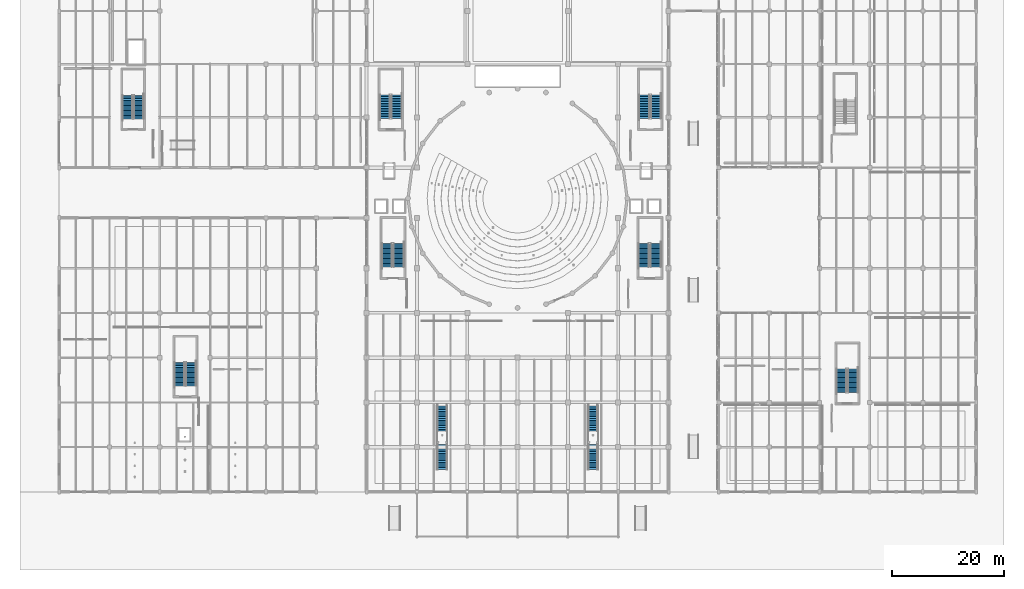
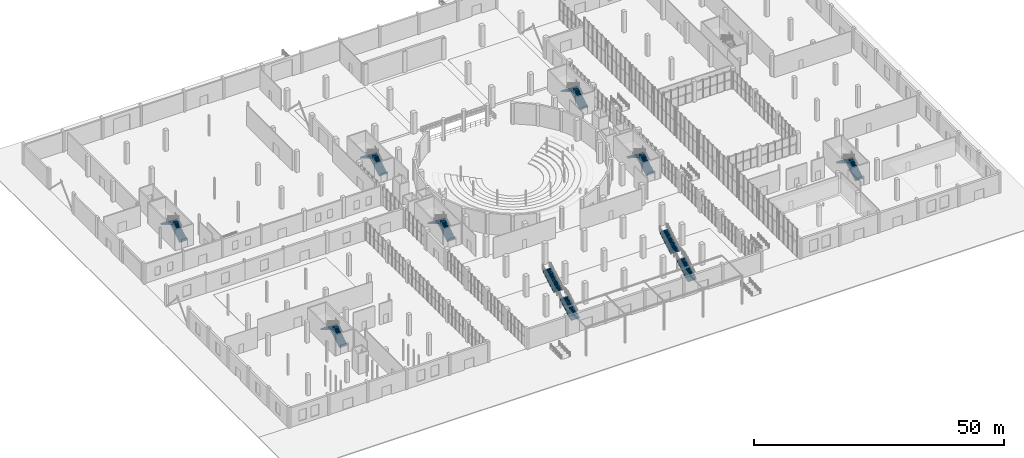
# One storey, part 90 of 103: 18 stair flights, 9 elements without a shape of their own.
"""IFC4 building model written with IfcOpenShell, lengths in metres."""

from ifc_helpers import new_model, si_unit, direction, frame, origin, place, context, subcontext, project, spatial, polyline, outline, extrude, material, type_object, element, aggregate, save


model = new_model("IFC4")

# Units and contexts
model_context = context("Model", 3, precision=1e-05, world=origin(), true_north=direction((0.0, 1.0)))
body_context = subcontext(model_context, "Body", "Model", "MODEL_VIEW")
ifc_project = project(units=[si_unit("LENGTHUNIT", "METRE"), si_unit("AREAUNIT", "SQUARE_METRE"), si_unit("VOLUMEUNIT", "CUBIC_METRE"), si_unit("PLANEANGLEUNIT", "RADIAN"), si_unit("MASSUNIT", "GRAM", prefix="KILO")], contexts=[model_context])

# Site, building, storey
site_placement = place(None, origin())
site = spatial("IfcSite", under=ifc_project, at=site_placement, CompositionType="ELEMENT")
building_placement = place(site_placement, origin())
building = spatial("IfcBuilding", under=site, at=building_placement, Name="Marnock Terrace Opera House", CompositionType="ELEMENT")
storey_placement = place(building_placement, origin())
storey = spatial("IfcBuildingStorey", under=building, at=storey_placement, Name="L00", CompositionType="ELEMENT", Elevation=0.0)

# Stair, stair flights
ifc_material = material(Name="Concrete N40 (f'c = 40 MPa)", Category="concrete")
stair_type_1 = type_object("IfcStairType", Name="ST-GRAND-3200", PredefinedType="STRAIGHT_RUN_STAIR", material=ifc_material)
stair_1_placement = place(storey_placement, origin())
stair_1 = element("IfcStair", 1, at=stair_1_placement, inside=storey, type_object=stair_type_1, Name="L00 Grand Stair ceremonial stair ST-09", PredefinedType="STRAIGHT_RUN_STAIR")
stair_flight_type_1 = type_object("IfcStairFlightType", Name="FLT-GRAND-3200", PredefinedType="STRAIGHT", material=ifc_material)
stair_flight_1_placement = place(storey_placement, frame((68.5, 12.0, 0.0), z_axis=(0.0, 0.0, 1.0), x_axis=(0.0, 1.0, 0.0)))
stair_flight_1 = element("IfcStairFlight", 2, at=stair_flight_1_placement, type_object=stair_flight_type_1, Name="ST-09 flight 1", NumberOfRisers=15, NumberOfTreads=14, PredefinedType="STRAIGHT", RiserHeight=0.18, TreadLength=0.32, context=body_context, shape_type="SweptSolid", body=[
    extrude(outline(polyline([(-0.00048828125, -0.06005859375), (-0.00048828125, 0.0), (0.0, 0.0), (0.0, 0.179931640625), (0.320068359375, 0.179931640625), (0.320068359375, 0.360107421875), (0.639892578125, 0.360107421875), (0.639892578125, 0.5400390625), (0.9599609375, 0.5400390625), (0.9599609375, 0.719970703125), (1.280029296875, 0.719970703125), (1.280029296875, 0.89990234375), (1.60009765625, 0.89990234375), (1.60009765625, 1.080078125), (1.919921875, 1.080078125), (1.919921875, 1.260009765625), (2.239990234375, 1.260009765625), (2.239990234375, 1.43994140625), (2.56005859375, 1.43994140625), (2.56005859375, 1.6201171875), (2.8798828125, 1.6201171875), (2.8798828125, 1.800048828125), (3.199951171875, 1.800048828125), (3.199951171875, 1.97998046875), (3.52001953125, 1.97998046875), (3.52001953125, 2.159912109375), (3.840087890625, 2.159912109375), (3.840087890625, 2.340087890625), (4.159912109375, 2.340087890625), (4.159912109375, 2.52001953125), (4.47998046875, 2.52001953125), (4.47998046875, 2.699951171875), (4.48046875, 2.699951171875), (4.48046875, 2.29052734375), (4.47998046875, 2.29052734375), (0.407958984375, -0.06005859375), (-0.00048828125, -0.06005859375)])), frame((0.0, 0.97998046875, 0.0), z_axis=(0.0, -1.0, 0.0), x_axis=(1.0, 0.0, 0.0)), (0.0, 0.0, 1.0), 1.9599609375),
])
stair_flight_2_placement = place(storey_placement, frame((68.5, 18.8798828125, 2.699951171875), z_axis=(0.0, 0.0, 1.0), x_axis=(0.0, 1.0, 0.0)))
stair_flight_2 = element("IfcStairFlight", 3, at=stair_flight_2_placement, type_object=stair_flight_type_1, Name="ST-09 flight 2", NumberOfRisers=15, NumberOfTreads=14, PredefinedType="STRAIGHT", RiserHeight=0.18, TreadLength=0.32, context=body_context, shape_type="SweptSolid", body=[
    extrude(outline(polyline([(-0.00048828125, -0.06005859375), (-0.00048828125, 0.0), (0.0, 0.0), (0.0, 0.179931640625), (0.320068359375, 0.179931640625), (0.320068359375, 0.360107421875), (0.639892578125, 0.360107421875), (0.639892578125, 0.5400390625), (0.9599609375, 0.5400390625), (0.9599609375, 0.719970703125), (1.280029296875, 0.719970703125), (1.280029296875, 0.89990234375), (1.60009765625, 0.89990234375), (1.60009765625, 1.080078125), (1.919921875, 1.080078125), (1.919921875, 1.260009765625), (2.239990234375, 1.260009765625), (2.239990234375, 1.43994140625), (2.56005859375, 1.43994140625), (2.56005859375, 1.6201171875), (2.8798828125, 1.6201171875), (2.8798828125, 1.800048828125), (3.199951171875, 1.800048828125), (3.199951171875, 1.97998046875), (3.52001953125, 1.97998046875), (3.52001953125, 2.159912109375), (3.840087890625, 2.159912109375), (3.840087890625, 2.340087890625), (4.159912109375, 2.340087890625), (4.159912109375, 2.52001953125), (4.47998046875, 2.52001953125), (4.47998046875, 2.699951171875), (4.48046875, 2.699951171875), (4.48046875, 2.29052734375), (4.47998046875, 2.29052734375), (0.407958984375, -0.06005859375), (-0.00048828125, -0.06005859375)])), frame((0.0, 0.97998046875, 0.0), z_axis=(0.0, -1.0, 0.0), x_axis=(1.0, 0.0, 0.0)), (0.0, 0.0, 1.0), 1.9599609375),
])
aggregate(stair_1, [stair_flight_1, stair_flight_2])

stair_2_placement = place(storey_placement, origin())
stair_2 = element("IfcStair", 4, at=stair_2_placement, inside=storey, type_object=stair_type_1, Name="L00 Grand Stair ceremonial stair ST-10", PredefinedType="STRAIGHT_RUN_STAIR")
stair_flight_3_placement = place(storey_placement, frame((95.5, 12.0, 0.0), z_axis=(0.0, 0.0, 1.0), x_axis=(0.0, 1.0, 0.0)))
stair_flight_3 = element("IfcStairFlight", 5, at=stair_flight_3_placement, type_object=stair_flight_type_1, Name="ST-10 flight 1", NumberOfRisers=15, NumberOfTreads=14, PredefinedType="STRAIGHT", RiserHeight=0.18, TreadLength=0.32, context=body_context, shape_type="SweptSolid", body=[
    extrude(outline(polyline([(-0.00048828125, -0.06005859375), (-0.00048828125, 0.0), (0.0, 0.0), (0.0, 0.179931640625), (0.320068359375, 0.179931640625), (0.320068359375, 0.360107421875), (0.639892578125, 0.360107421875), (0.639892578125, 0.5400390625), (0.9599609375, 0.5400390625), (0.9599609375, 0.719970703125), (1.280029296875, 0.719970703125), (1.280029296875, 0.89990234375), (1.60009765625, 0.89990234375), (1.60009765625, 1.080078125), (1.919921875, 1.080078125), (1.919921875, 1.260009765625), (2.239990234375, 1.260009765625), (2.239990234375, 1.43994140625), (2.56005859375, 1.43994140625), (2.56005859375, 1.6201171875), (2.8798828125, 1.6201171875), (2.8798828125, 1.800048828125), (3.199951171875, 1.800048828125), (3.199951171875, 1.97998046875), (3.52001953125, 1.97998046875), (3.52001953125, 2.159912109375), (3.840087890625, 2.159912109375), (3.840087890625, 2.340087890625), (4.159912109375, 2.340087890625), (4.159912109375, 2.52001953125), (4.47998046875, 2.52001953125), (4.47998046875, 2.699951171875), (4.48046875, 2.699951171875), (4.48046875, 2.29052734375), (4.47998046875, 2.29052734375), (0.407958984375, -0.06005859375), (-0.00048828125, -0.06005859375)])), frame((0.0, 0.97998046875, 0.0), z_axis=(0.0, -1.0, 0.0), x_axis=(1.0, 0.0, 0.0)), (0.0, 0.0, 1.0), 1.9599609375),
])
stair_flight_4_placement = place(storey_placement, frame((95.5, 18.8798828125, 2.699951171875), z_axis=(0.0, 0.0, 1.0), x_axis=(0.0, 1.0, 0.0)))
stair_flight_4 = element("IfcStairFlight", 6, at=stair_flight_4_placement, type_object=stair_flight_type_1, Name="ST-10 flight 2", NumberOfRisers=15, NumberOfTreads=14, PredefinedType="STRAIGHT", RiserHeight=0.18, TreadLength=0.32, context=body_context, shape_type="SweptSolid", body=[
    extrude(outline(polyline([(-0.00048828125, -0.06005859375), (-0.00048828125, 0.0), (0.0, 0.0), (0.0, 0.179931640625), (0.320068359375, 0.179931640625), (0.320068359375, 0.360107421875), (0.639892578125, 0.360107421875), (0.639892578125, 0.5400390625), (0.9599609375, 0.5400390625), (0.9599609375, 0.719970703125), (1.280029296875, 0.719970703125), (1.280029296875, 0.89990234375), (1.60009765625, 0.89990234375), (1.60009765625, 1.080078125), (1.919921875, 1.080078125), (1.919921875, 1.260009765625), (2.239990234375, 1.260009765625), (2.239990234375, 1.43994140625), (2.56005859375, 1.43994140625), (2.56005859375, 1.6201171875), (2.8798828125, 1.6201171875), (2.8798828125, 1.800048828125), (3.199951171875, 1.800048828125), (3.199951171875, 1.97998046875), (3.52001953125, 1.97998046875), (3.52001953125, 2.159912109375), (3.840087890625, 2.159912109375), (3.840087890625, 2.340087890625), (4.159912109375, 2.340087890625), (4.159912109375, 2.52001953125), (4.47998046875, 2.52001953125), (4.47998046875, 2.699951171875), (4.48046875, 2.699951171875), (4.48046875, 2.29052734375), (4.47998046875, 2.29052734375), (0.407958984375, -0.06005859375), (-0.00048828125, -0.06005859375)])), frame((0.0, 0.97998046875, 0.0), z_axis=(0.0, -1.0, 0.0), x_axis=(1.0, 0.0, 0.0)), (0.0, 0.0, 1.0), 1.9599609375),
])
aggregate(stair_2, [stair_flight_3, stair_flight_4])

stair_type_2 = type_object("IfcStairType", Name="ST-TYPE-2000", PredefinedType="HALF_TURN_STAIR", material=ifc_material)
stair_3_placement = place(storey_placement, origin())
stair_3 = element("IfcStair", 7, at=stair_3_placement, inside=storey, type_object=stair_type_2, Name="L00 ST-07", PredefinedType="HALF_TURN_STAIR")
stair_flight_type_2 = type_object("IfcStairFlightType", Name="FLT-TYPE-2000", PredefinedType="STRAIGHT", material=ifc_material)
stair_flight_5_placement = place(storey_placement, frame((14.219970703125, 74.719970703125, 0.0), z_axis=(0.0, 0.0, 1.0), x_axis=(0.0, 1.0, 0.0)))
stair_flight_5 = element("IfcStairFlight", 8, at=stair_flight_5_placement, type_object=stair_flight_type_2, Name="ST-07 flight 1", NumberOfRisers=15, NumberOfTreads=14, PredefinedType="STRAIGHT", RiserHeight=0.18, TreadLength=0.3, context=body_context, shape_type="SweptSolid", body=[
    extrude(outline(polyline([(-0.00048828125, -0.06005859375), (-0.00048828125, 0.0), (0.0, 0.0), (0.0, 0.179931640625), (0.300048828125, 0.179931640625), (0.300048828125, 0.360107421875), (0.60009765625, 0.360107421875), (0.60009765625, 0.5400390625), (0.89990234375, 0.5400390625), (0.89990234375, 0.719970703125), (1.199951171875, 0.719970703125), (1.199951171875, 0.89990234375), (1.5, 0.89990234375), (1.5, 1.080078125), (1.800048828125, 1.080078125), (1.800048828125, 1.260009765625), (2.10009765625, 1.260009765625), (2.10009765625, 1.43994140625), (2.39990234375, 1.43994140625), (2.39990234375, 1.6201171875), (2.699951171875, 1.6201171875), (2.699951171875, 1.800048828125), (3.0, 1.800048828125), (3.0, 1.97998046875), (3.300048828125, 1.97998046875), (3.300048828125, 2.159912109375), (3.60009765625, 2.159912109375), (3.60009765625, 2.340087890625), (3.89990234375, 2.340087890625), (3.89990234375, 2.52001953125), (4.199951171875, 2.52001953125), (4.199951171875, 2.699951171875), (4.200439453125, 2.699951171875), (4.200439453125, 2.34521484375), (4.199951171875, 2.34521484375), (0.291259765625, -0.06005859375), (-0.00048828125, -0.06005859375)])), frame((0.0, 0.89990234375, 0.0), z_axis=(0.0, -1.0, 0.0), x_axis=(1.0, 0.0, 0.0)), (0.0, 0.0, 1.0), 1.800048828125),
])
stair_flight_6_placement = place(storey_placement, frame((12.219970703125, 78.919921875, 2.699951171875), z_axis=(0.0, 0.0, 1.0), x_axis=(0.0, -1.0, 0.0)))
stair_flight_6 = element("IfcStairFlight", 9, at=stair_flight_6_placement, type_object=stair_flight_type_2, Name="ST-07 flight 2", NumberOfRisers=15, NumberOfTreads=14, PredefinedType="STRAIGHT", RiserHeight=0.18, TreadLength=0.3, context=body_context, shape_type="SweptSolid", body=[
    extrude(outline(polyline([(-0.00048828125, -0.06005859375), (-0.00048828125, 0.0), (0.0, 0.0), (0.0, 0.179931640625), (0.300048828125, 0.179931640625), (0.300048828125, 0.360107421875), (0.60009765625, 0.360107421875), (0.60009765625, 0.5400390625), (0.89990234375, 0.5400390625), (0.89990234375, 0.719970703125), (1.199951171875, 0.719970703125), (1.199951171875, 0.89990234375), (1.5, 0.89990234375), (1.5, 1.080078125), (1.800048828125, 1.080078125), (1.800048828125, 1.260009765625), (2.10009765625, 1.260009765625), (2.10009765625, 1.43994140625), (2.39990234375, 1.43994140625), (2.39990234375, 1.6201171875), (2.699951171875, 1.6201171875), (2.699951171875, 1.800048828125), (3.0, 1.800048828125), (3.0, 1.97998046875), (3.300048828125, 1.97998046875), (3.300048828125, 2.159912109375), (3.60009765625, 2.159912109375), (3.60009765625, 2.340087890625), (3.89990234375, 2.340087890625), (3.89990234375, 2.52001953125), (4.199951171875, 2.52001953125), (4.199951171875, 2.699951171875), (4.200439453125, 2.699951171875), (4.200439453125, 2.34521484375), (4.199951171875, 2.34521484375), (0.291259765625, -0.06005859375), (-0.00048828125, -0.06005859375)])), frame((0.0, 0.89990234375, 0.0), z_axis=(0.0, -1.0, 0.0), x_axis=(1.0, 0.0, 0.0)), (0.0, 0.0, 1.0), 1.800048828125),
])
aggregate(stair_3, [stair_flight_5, stair_flight_6])

stair_type_3 = type_object("IfcStairType", Name="ST-TYPE-2200", PredefinedType="HALF_TURN_STAIR", material=ifc_material)
stair_4_placement = place(storey_placement, origin())
stair_4 = element("IfcStair", 10, at=stair_4_placement, inside=storey, type_object=stair_type_3, Name="L00 ST-05", PredefinedType="HALF_TURN_STAIR")
stair_flight_type_3 = type_object("IfcStairFlightType", Name="FLT-TYPE-2200", PredefinedType="STRAIGHT", material=ifc_material)
stair_flight_7_placement = place(storey_placement, frame((23.60009765625, 26.9599609375, 0.0), z_axis=(0.0, 0.0, 1.0), x_axis=(0.0, 1.0, 0.0)))
stair_flight_7 = element("IfcStairFlight", 11, at=stair_flight_7_placement, type_object=stair_flight_type_3, Name="ST-05 flight 1", NumberOfRisers=15, NumberOfTreads=14, PredefinedType="STRAIGHT", RiserHeight=0.18, TreadLength=0.3, context=body_context, shape_type="SweptSolid", body=[
    extrude(outline(polyline([(-0.00048828125, -0.06005859375), (-0.00048828125, 0.0), (0.0, 0.0), (0.0, 0.179931640625), (0.300048828125, 0.179931640625), (0.300048828125, 0.360107421875), (0.60009765625, 0.360107421875), (0.60009765625, 0.5400390625), (0.89990234375, 0.5400390625), (0.89990234375, 0.719970703125), (1.199951171875, 0.719970703125), (1.199951171875, 0.89990234375), (1.5, 0.89990234375), (1.5, 1.080078125), (1.800048828125, 1.080078125), (1.800048828125, 1.260009765625), (2.10009765625, 1.260009765625), (2.10009765625, 1.43994140625), (2.39990234375, 1.43994140625), (2.39990234375, 1.6201171875), (2.699951171875, 1.6201171875), (2.699951171875, 1.800048828125), (3.0, 1.800048828125), (3.0, 1.97998046875), (3.300048828125, 1.97998046875), (3.300048828125, 2.159912109375), (3.60009765625, 2.159912109375), (3.60009765625, 2.340087890625), (3.89990234375, 2.340087890625), (3.89990234375, 2.52001953125), (4.199951171875, 2.52001953125), (4.199951171875, 2.699951171875), (4.200439453125, 2.699951171875), (4.200439453125, 2.34521484375), (4.199951171875, 2.34521484375), (0.291259765625, -0.06005859375), (-0.00048828125, -0.06005859375)])), frame((0.0, 0.919921875, 0.0), z_axis=(0.0, -1.0, 0.0), x_axis=(1.0, 0.0, 0.0)), (0.0, 0.0, 1.0), 1.840087890625),
])
stair_flight_8_placement = place(storey_placement, frame((21.56005859375, 31.159912109375, 2.699951171875), z_axis=(0.0, 0.0, 1.0), x_axis=(0.0, -1.0, 0.0)))
stair_flight_8 = element("IfcStairFlight", 12, at=stair_flight_8_placement, type_object=stair_flight_type_3, Name="ST-05 flight 2", NumberOfRisers=15, NumberOfTreads=14, PredefinedType="STRAIGHT", RiserHeight=0.18, TreadLength=0.3, context=body_context, shape_type="SweptSolid", body=[
    extrude(outline(polyline([(-0.00048828125, -0.06005859375), (-0.00048828125, 0.0), (0.0, 0.0), (0.0, 0.179931640625), (0.300048828125, 0.179931640625), (0.300048828125, 0.360107421875), (0.60009765625, 0.360107421875), (0.60009765625, 0.5400390625), (0.89990234375, 0.5400390625), (0.89990234375, 0.719970703125), (1.199951171875, 0.719970703125), (1.199951171875, 0.89990234375), (1.5, 0.89990234375), (1.5, 1.080078125), (1.800048828125, 1.080078125), (1.800048828125, 1.260009765625), (2.10009765625, 1.260009765625), (2.10009765625, 1.43994140625), (2.39990234375, 1.43994140625), (2.39990234375, 1.6201171875), (2.699951171875, 1.6201171875), (2.699951171875, 1.800048828125), (3.0, 1.800048828125), (3.0, 1.97998046875), (3.300048828125, 1.97998046875), (3.300048828125, 2.159912109375), (3.60009765625, 2.159912109375), (3.60009765625, 2.340087890625), (3.89990234375, 2.340087890625), (3.89990234375, 2.52001953125), (4.199951171875, 2.52001953125), (4.199951171875, 2.699951171875), (4.200439453125, 2.699951171875), (4.200439453125, 2.34521484375), (4.199951171875, 2.34521484375), (0.291259765625, -0.06005859375), (-0.00048828125, -0.06005859375)])), frame((0.0, 0.919921875, 0.0), z_axis=(0.0, -1.0, 0.0), x_axis=(1.0, 0.0, 0.0)), (0.0, 0.0, 1.0), 1.840087890625),
])
aggregate(stair_4, [stair_flight_7, stair_flight_8])

stair_5_placement = place(storey_placement, origin())
stair_5 = element("IfcStair", 13, at=stair_5_placement, inside=storey, type_object=stair_type_3, Name="L00 ST-06", PredefinedType="HALF_TURN_STAIR")
stair_flight_9_placement = place(storey_placement, frame((142.0, 25.760009765625, 0.0), z_axis=(0.0, 0.0, 1.0), x_axis=(0.0, 1.0, 0.0)))
stair_flight_9 = element("IfcStairFlight", 14, at=stair_flight_9_placement, type_object=stair_flight_type_3, Name="ST-06 flight 1", NumberOfRisers=15, NumberOfTreads=14, PredefinedType="STRAIGHT", RiserHeight=0.18, TreadLength=0.3, context=body_context, shape_type="SweptSolid", body=[
    extrude(outline(polyline([(-0.00048828125, -0.06005859375), (-0.00048828125, 0.0), (0.0, 0.0), (0.0, 0.179931640625), (0.300048828125, 0.179931640625), (0.300048828125, 0.360107421875), (0.60009765625, 0.360107421875), (0.60009765625, 0.5400390625), (0.89990234375, 0.5400390625), (0.89990234375, 0.719970703125), (1.199951171875, 0.719970703125), (1.199951171875, 0.89990234375), (1.5, 0.89990234375), (1.5, 1.080078125), (1.800048828125, 1.080078125), (1.800048828125, 1.260009765625), (2.10009765625, 1.260009765625), (2.10009765625, 1.43994140625), (2.39990234375, 1.43994140625), (2.39990234375, 1.6201171875), (2.699951171875, 1.6201171875), (2.699951171875, 1.800048828125), (3.0, 1.800048828125), (3.0, 1.97998046875), (3.300048828125, 1.97998046875), (3.300048828125, 2.159912109375), (3.60009765625, 2.159912109375), (3.60009765625, 2.340087890625), (3.89990234375, 2.340087890625), (3.89990234375, 2.52001953125), (4.199951171875, 2.52001953125), (4.199951171875, 2.699951171875), (4.200439453125, 2.699951171875), (4.200439453125, 2.34521484375), (4.199951171875, 2.34521484375), (0.291259765625, -0.06005859375), (-0.00048828125, -0.06005859375)])), frame((0.0, 0.919921875, 0.0), z_axis=(0.0, -1.0, 0.0), x_axis=(1.0, 0.0, 0.0)), (0.0, 0.0, 1.0), 1.840087890625),
])
stair_flight_10_placement = place(storey_placement, frame((139.9599609375, 29.9599609375, 2.699951171875), z_axis=(0.0, 0.0, 1.0), x_axis=(0.0, -1.0, 0.0)))
stair_flight_10 = element("IfcStairFlight", 15, at=stair_flight_10_placement, type_object=stair_flight_type_3, Name="ST-06 flight 2", NumberOfRisers=15, NumberOfTreads=14, PredefinedType="STRAIGHT", RiserHeight=0.18, TreadLength=0.3, context=body_context, shape_type="SweptSolid", body=[
    extrude(outline(polyline([(-0.00048828125, -0.06005859375), (-0.00048828125, 0.0), (0.0, 0.0), (0.0, 0.179931640625), (0.300048828125, 0.179931640625), (0.300048828125, 0.360107421875), (0.60009765625, 0.360107421875), (0.60009765625, 0.5400390625), (0.89990234375, 0.5400390625), (0.89990234375, 0.719970703125), (1.199951171875, 0.719970703125), (1.199951171875, 0.89990234375), (1.5, 0.89990234375), (1.5, 1.080078125), (1.800048828125, 1.080078125), (1.800048828125, 1.260009765625), (2.10009765625, 1.260009765625), (2.10009765625, 1.43994140625), (2.39990234375, 1.43994140625), (2.39990234375, 1.6201171875), (2.699951171875, 1.6201171875), (2.699951171875, 1.800048828125), (3.0, 1.800048828125), (3.0, 1.97998046875), (3.300048828125, 1.97998046875), (3.300048828125, 2.159912109375), (3.60009765625, 2.159912109375), (3.60009765625, 2.340087890625), (3.89990234375, 2.340087890625), (3.89990234375, 2.52001953125), (4.199951171875, 2.52001953125), (4.199951171875, 2.699951171875), (4.200439453125, 2.699951171875), (4.200439453125, 2.34521484375), (4.199951171875, 2.34521484375), (0.291259765625, -0.06005859375), (-0.00048828125, -0.06005859375)])), frame((0.0, 0.919921875, 0.0), z_axis=(0.0, -1.0, 0.0), x_axis=(1.0, 0.0, 0.0)), (0.0, 0.0, 1.0), 1.840087890625),
])
aggregate(stair_5, [stair_flight_9, stair_flight_10])

stair_type_4 = type_object("IfcStairType", Name="ST-TYPE-2400", PredefinedType="HALF_TURN_STAIR", material=ifc_material)
stair_6_placement = place(storey_placement, origin())
stair_6 = element("IfcStair", 16, at=stair_6_placement, inside=storey, type_object=stair_type_4, Name="L00 ST-03", PredefinedType="HALF_TURN_STAIR")
stair_flight_type_4 = type_object("IfcStairFlightType", Name="FLT-TYPE-2400", PredefinedType="STRAIGHT", material=ifc_material)
stair_flight_11_placement = place(storey_placement, frame((60.3798828125, 74.800048828125, 0.0), z_axis=(0.0, 0.0, 1.0), x_axis=(0.0, 1.0, 0.0)))
stair_flight_11 = element("IfcStairFlight", 17, at=stair_flight_11_placement, type_object=stair_flight_type_4, Name="ST-03 flight 1", NumberOfRisers=15, NumberOfTreads=14, PredefinedType="STRAIGHT", RiserHeight=0.18, TreadLength=0.3, context=body_context, shape_type="SweptSolid", body=[
    extrude(outline(polyline([(-0.00048828125, -0.06005859375), (-0.00048828125, 0.0), (0.0, 0.0), (0.0, 0.179931640625), (0.300048828125, 0.179931640625), (0.300048828125, 0.360107421875), (0.60009765625, 0.360107421875), (0.60009765625, 0.5400390625), (0.89990234375, 0.5400390625), (0.89990234375, 0.719970703125), (1.199951171875, 0.719970703125), (1.199951171875, 0.89990234375), (1.5, 0.89990234375), (1.5, 1.080078125), (1.800048828125, 1.080078125), (1.800048828125, 1.260009765625), (2.10009765625, 1.260009765625), (2.10009765625, 1.43994140625), (2.39990234375, 1.43994140625), (2.39990234375, 1.6201171875), (2.699951171875, 1.6201171875), (2.699951171875, 1.800048828125), (3.0, 1.800048828125), (3.0, 1.97998046875), (3.300048828125, 1.97998046875), (3.300048828125, 2.159912109375), (3.60009765625, 2.159912109375), (3.60009765625, 2.340087890625), (3.89990234375, 2.340087890625), (3.89990234375, 2.52001953125), (4.199951171875, 2.52001953125), (4.199951171875, 2.699951171875), (4.200439453125, 2.699951171875), (4.200439453125, 2.34521484375), (4.199951171875, 2.34521484375), (0.291259765625, -0.06005859375), (-0.00048828125, -0.06005859375)])), frame((0.0, 0.93994140625, 0.0), z_axis=(0.0, -1.0, 0.0), x_axis=(1.0, 0.0, 0.0)), (0.0, 0.0, 1.0), 1.8798828125),
])
stair_flight_12_placement = place(storey_placement, frame((58.300048828125, 79.0, 2.699951171875), z_axis=(0.0, 0.0, 1.0), x_axis=(0.0, -1.0, 0.0)))
stair_flight_12 = element("IfcStairFlight", 18, at=stair_flight_12_placement, type_object=stair_flight_type_4, Name="ST-03 flight 2", NumberOfRisers=15, NumberOfTreads=14, PredefinedType="STRAIGHT", RiserHeight=0.18, TreadLength=0.3, context=body_context, shape_type="SweptSolid", body=[
    extrude(outline(polyline([(-0.00048828125, -0.06005859375), (-0.00048828125, 0.0), (0.0, 0.0), (0.0, 0.179931640625), (0.300048828125, 0.179931640625), (0.300048828125, 0.360107421875), (0.60009765625, 0.360107421875), (0.60009765625, 0.5400390625), (0.89990234375, 0.5400390625), (0.89990234375, 0.719970703125), (1.199951171875, 0.719970703125), (1.199951171875, 0.89990234375), (1.5, 0.89990234375), (1.5, 1.080078125), (1.800048828125, 1.080078125), (1.800048828125, 1.260009765625), (2.10009765625, 1.260009765625), (2.10009765625, 1.43994140625), (2.39990234375, 1.43994140625), (2.39990234375, 1.6201171875), (2.699951171875, 1.6201171875), (2.699951171875, 1.800048828125), (3.0, 1.800048828125), (3.0, 1.97998046875), (3.300048828125, 1.97998046875), (3.300048828125, 2.159912109375), (3.60009765625, 2.159912109375), (3.60009765625, 2.340087890625), (3.89990234375, 2.340087890625), (3.89990234375, 2.52001953125), (4.199951171875, 2.52001953125), (4.199951171875, 2.699951171875), (4.200439453125, 2.699951171875), (4.200439453125, 2.34521484375), (4.199951171875, 2.34521484375), (0.291259765625, -0.06005859375), (-0.00048828125, -0.06005859375)])), frame((0.0, 0.93994140625, 0.0), z_axis=(0.0, -1.0, 0.0), x_axis=(1.0, 0.0, 0.0)), (0.0, 0.0, 1.0), 1.8798828125),
])
aggregate(stair_6, [stair_flight_11, stair_flight_12])

stair_7_placement = place(storey_placement, origin())
stair_7 = element("IfcStair", 19, at=stair_7_placement, inside=storey, type_object=stair_type_4, Name="L00 ST-04", PredefinedType="HALF_TURN_STAIR")
stair_flight_13_placement = place(storey_placement, frame((106.739990234375, 74.800048828125, 0.0), z_axis=(0.0, 0.0, 1.0), x_axis=(0.0, 1.0, 0.0)))
stair_flight_13 = element("IfcStairFlight", 20, at=stair_flight_13_placement, type_object=stair_flight_type_4, Name="ST-04 flight 1", NumberOfRisers=15, NumberOfTreads=14, PredefinedType="STRAIGHT", RiserHeight=0.18, TreadLength=0.3, context=body_context, shape_type="SweptSolid", body=[
    extrude(outline(polyline([(-0.00048828125, -0.06005859375), (-0.00048828125, 0.0), (0.0, 0.0), (0.0, 0.179931640625), (0.300048828125, 0.179931640625), (0.300048828125, 0.360107421875), (0.60009765625, 0.360107421875), (0.60009765625, 0.5400390625), (0.89990234375, 0.5400390625), (0.89990234375, 0.719970703125), (1.199951171875, 0.719970703125), (1.199951171875, 0.89990234375), (1.5, 0.89990234375), (1.5, 1.080078125), (1.800048828125, 1.080078125), (1.800048828125, 1.260009765625), (2.10009765625, 1.260009765625), (2.10009765625, 1.43994140625), (2.39990234375, 1.43994140625), (2.39990234375, 1.6201171875), (2.699951171875, 1.6201171875), (2.699951171875, 1.800048828125), (3.0, 1.800048828125), (3.0, 1.97998046875), (3.300048828125, 1.97998046875), (3.300048828125, 2.159912109375), (3.60009765625, 2.159912109375), (3.60009765625, 2.340087890625), (3.89990234375, 2.340087890625), (3.89990234375, 2.52001953125), (4.199951171875, 2.52001953125), (4.199951171875, 2.699951171875), (4.200439453125, 2.699951171875), (4.200439453125, 2.34521484375), (4.199951171875, 2.34521484375), (0.291259765625, -0.06005859375), (-0.00048828125, -0.06005859375)])), frame((0.0, 0.93994140625, 0.0), z_axis=(0.0, -1.0, 0.0), x_axis=(1.0, 0.0, 0.0)), (0.0, 0.0, 1.0), 1.8798828125),
])
stair_flight_14_placement = place(storey_placement, frame((104.659912109375, 79.0, 2.699951171875), z_axis=(0.0, 0.0, 1.0), x_axis=(0.0, -1.0, 0.0)))
stair_flight_14 = element("IfcStairFlight", 21, at=stair_flight_14_placement, type_object=stair_flight_type_4, Name="ST-04 flight 2", NumberOfRisers=15, NumberOfTreads=14, PredefinedType="STRAIGHT", RiserHeight=0.18, TreadLength=0.3, context=body_context, shape_type="SweptSolid", body=[
    extrude(outline(polyline([(-0.00048828125, -0.06005859375), (-0.00048828125, 0.0), (0.0, 0.0), (0.0, 0.179931640625), (0.300048828125, 0.179931640625), (0.300048828125, 0.360107421875), (0.60009765625, 0.360107421875), (0.60009765625, 0.5400390625), (0.89990234375, 0.5400390625), (0.89990234375, 0.719970703125), (1.199951171875, 0.719970703125), (1.199951171875, 0.89990234375), (1.5, 0.89990234375), (1.5, 1.080078125), (1.800048828125, 1.080078125), (1.800048828125, 1.260009765625), (2.10009765625, 1.260009765625), (2.10009765625, 1.43994140625), (2.39990234375, 1.43994140625), (2.39990234375, 1.6201171875), (2.699951171875, 1.6201171875), (2.699951171875, 1.800048828125), (3.0, 1.800048828125), (3.0, 1.97998046875), (3.300048828125, 1.97998046875), (3.300048828125, 2.159912109375), (3.60009765625, 2.159912109375), (3.60009765625, 2.340087890625), (3.89990234375, 2.340087890625), (3.89990234375, 2.52001953125), (4.199951171875, 2.52001953125), (4.199951171875, 2.699951171875), (4.200439453125, 2.699951171875), (4.200439453125, 2.34521484375), (4.199951171875, 2.34521484375), (0.291259765625, -0.06005859375), (-0.00048828125, -0.06005859375)])), frame((0.0, 0.93994140625, 0.0), z_axis=(0.0, -1.0, 0.0), x_axis=(1.0, 0.0, 0.0)), (0.0, 0.0, 1.0), 1.8798828125),
])
aggregate(stair_7, [stair_flight_13, stair_flight_14])

stair_type_5 = type_object("IfcStairType", Name="ST-TYPE-2600", PredefinedType="HALF_TURN_STAIR", material=ifc_material)
stair_8_placement = place(storey_placement, origin())
stair_8 = element("IfcStair", 22, at=stair_8_placement, inside=storey, type_object=stair_type_5, Name="L00 ST-01", PredefinedType="HALF_TURN_STAIR")
stair_flight_type_5 = type_object("IfcStairFlightType", Name="FLT-TYPE-2600", PredefinedType="STRAIGHT", material=ifc_material)
stair_flight_15_placement = place(storey_placement, frame((60.760009765625, 48.239990234375, 0.0), z_axis=(0.0, 0.0, 1.0), x_axis=(0.0, 1.0, 0.0)))
stair_flight_15 = element("IfcStairFlight", 23, at=stair_flight_15_placement, type_object=stair_flight_type_5, Name="ST-01 flight 1", NumberOfRisers=15, NumberOfTreads=14, PredefinedType="STRAIGHT", RiserHeight=0.18, TreadLength=0.3, context=body_context, shape_type="SweptSolid", body=[
    extrude(outline(polyline([(-0.00048828125, -0.06005859375), (-0.00048828125, 0.0), (0.0, 0.0), (0.0, 0.179931640625), (0.300048828125, 0.179931640625), (0.300048828125, 0.360107421875), (0.60009765625, 0.360107421875), (0.60009765625, 0.5400390625), (0.89990234375, 0.5400390625), (0.89990234375, 0.719970703125), (1.199951171875, 0.719970703125), (1.199951171875, 0.89990234375), (1.5, 0.89990234375), (1.5, 1.080078125), (1.800048828125, 1.080078125), (1.800048828125, 1.260009765625), (2.10009765625, 1.260009765625), (2.10009765625, 1.43994140625), (2.39990234375, 1.43994140625), (2.39990234375, 1.6201171875), (2.699951171875, 1.6201171875), (2.699951171875, 1.800048828125), (3.0, 1.800048828125), (3.0, 1.97998046875), (3.300048828125, 1.97998046875), (3.300048828125, 2.159912109375), (3.60009765625, 2.159912109375), (3.60009765625, 2.340087890625), (3.89990234375, 2.340087890625), (3.89990234375, 2.52001953125), (4.199951171875, 2.52001953125), (4.199951171875, 2.699951171875), (4.200439453125, 2.699951171875), (4.200439453125, 2.34521484375), (4.199951171875, 2.34521484375), (0.291259765625, -0.06005859375), (-0.00048828125, -0.06005859375)])), frame((0.0, 0.9599609375, 0.0), z_axis=(0.0, -1.0, 0.0), x_axis=(1.0, 0.0, 0.0)), (0.0, 0.0, 1.0), 1.919921875),
])
stair_flight_16_placement = place(storey_placement, frame((58.639892578125, 52.43994140625, 2.699951171875), z_axis=(0.0, 0.0, 1.0), x_axis=(0.0, -1.0, 0.0)))
stair_flight_16 = element("IfcStairFlight", 24, at=stair_flight_16_placement, type_object=stair_flight_type_5, Name="ST-01 flight 2", NumberOfRisers=15, NumberOfTreads=14, PredefinedType="STRAIGHT", RiserHeight=0.18, TreadLength=0.3, context=body_context, shape_type="SweptSolid", body=[
    extrude(outline(polyline([(-0.00048828125, -0.06005859375), (-0.00048828125, 0.0), (0.0, 0.0), (0.0, 0.179931640625), (0.300048828125, 0.179931640625), (0.300048828125, 0.360107421875), (0.60009765625, 0.360107421875), (0.60009765625, 0.5400390625), (0.89990234375, 0.5400390625), (0.89990234375, 0.719970703125), (1.199951171875, 0.719970703125), (1.199951171875, 0.89990234375), (1.5, 0.89990234375), (1.5, 1.080078125), (1.800048828125, 1.080078125), (1.800048828125, 1.260009765625), (2.10009765625, 1.260009765625), (2.10009765625, 1.43994140625), (2.39990234375, 1.43994140625), (2.39990234375, 1.6201171875), (2.699951171875, 1.6201171875), (2.699951171875, 1.800048828125), (3.0, 1.800048828125), (3.0, 1.97998046875), (3.300048828125, 1.97998046875), (3.300048828125, 2.159912109375), (3.60009765625, 2.159912109375), (3.60009765625, 2.340087890625), (3.89990234375, 2.340087890625), (3.89990234375, 2.52001953125), (4.199951171875, 2.52001953125), (4.199951171875, 2.699951171875), (4.200439453125, 2.699951171875), (4.200439453125, 2.34521484375), (4.199951171875, 2.34521484375), (0.291259765625, -0.06005859375), (-0.00048828125, -0.06005859375)])), frame((0.0, 0.9599609375, 0.0), z_axis=(0.0, -1.0, 0.0), x_axis=(1.0, 0.0, 0.0)), (0.0, 0.0, 1.0), 1.919921875),
])
aggregate(stair_8, [stair_flight_15, stair_flight_16])

stair_9_placement = place(storey_placement, origin())
stair_9 = element("IfcStair", 25, at=stair_9_placement, inside=storey, type_object=stair_type_5, Name="L00 ST-02", PredefinedType="HALF_TURN_STAIR")
stair_flight_17_placement = place(storey_placement, frame((106.719970703125, 48.239990234375, 0.0), z_axis=(0.0, 0.0, 1.0), x_axis=(0.0, 1.0, 0.0)))
stair_flight_17 = element("IfcStairFlight", 26, at=stair_flight_17_placement, type_object=stair_flight_type_5, Name="ST-02 flight 1", NumberOfRisers=15, NumberOfTreads=14, PredefinedType="STRAIGHT", RiserHeight=0.18, TreadLength=0.3, context=body_context, shape_type="SweptSolid", body=[
    extrude(outline(polyline([(-0.00048828125, -0.06005859375), (-0.00048828125, 0.0), (0.0, 0.0), (0.0, 0.179931640625), (0.300048828125, 0.179931640625), (0.300048828125, 0.360107421875), (0.60009765625, 0.360107421875), (0.60009765625, 0.5400390625), (0.89990234375, 0.5400390625), (0.89990234375, 0.719970703125), (1.199951171875, 0.719970703125), (1.199951171875, 0.89990234375), (1.5, 0.89990234375), (1.5, 1.080078125), (1.800048828125, 1.080078125), (1.800048828125, 1.260009765625), (2.10009765625, 1.260009765625), (2.10009765625, 1.43994140625), (2.39990234375, 1.43994140625), (2.39990234375, 1.6201171875), (2.699951171875, 1.6201171875), (2.699951171875, 1.800048828125), (3.0, 1.800048828125), (3.0, 1.97998046875), (3.300048828125, 1.97998046875), (3.300048828125, 2.159912109375), (3.60009765625, 2.159912109375), (3.60009765625, 2.340087890625), (3.89990234375, 2.340087890625), (3.89990234375, 2.52001953125), (4.199951171875, 2.52001953125), (4.199951171875, 2.699951171875), (4.200439453125, 2.699951171875), (4.200439453125, 2.34521484375), (4.199951171875, 2.34521484375), (0.291259765625, -0.06005859375), (-0.00048828125, -0.06005859375)])), frame((0.0, 0.9599609375, 0.0), z_axis=(0.0, -1.0, 0.0), x_axis=(1.0, 0.0, 0.0)), (0.0, 0.0, 1.0), 1.919921875),
])
stair_flight_18_placement = place(storey_placement, frame((104.60009765625, 52.43994140625, 2.699951171875), z_axis=(0.0, 0.0, 1.0), x_axis=(0.0, -1.0, 0.0)))
stair_flight_18 = element("IfcStairFlight", 27, at=stair_flight_18_placement, type_object=stair_flight_type_5, Name="ST-02 flight 2", NumberOfRisers=15, NumberOfTreads=14, PredefinedType="STRAIGHT", RiserHeight=0.18, TreadLength=0.3, context=body_context, shape_type="SweptSolid", body=[
    extrude(outline(polyline([(-0.00048828125, -0.06005859375), (-0.00048828125, 0.0), (0.0, 0.0), (0.0, 0.179931640625), (0.300048828125, 0.179931640625), (0.300048828125, 0.360107421875), (0.60009765625, 0.360107421875), (0.60009765625, 0.5400390625), (0.89990234375, 0.5400390625), (0.89990234375, 0.719970703125), (1.199951171875, 0.719970703125), (1.199951171875, 0.89990234375), (1.5, 0.89990234375), (1.5, 1.080078125), (1.800048828125, 1.080078125), (1.800048828125, 1.260009765625), (2.10009765625, 1.260009765625), (2.10009765625, 1.43994140625), (2.39990234375, 1.43994140625), (2.39990234375, 1.6201171875), (2.699951171875, 1.6201171875), (2.699951171875, 1.800048828125), (3.0, 1.800048828125), (3.0, 1.97998046875), (3.300048828125, 1.97998046875), (3.300048828125, 2.159912109375), (3.60009765625, 2.159912109375), (3.60009765625, 2.340087890625), (3.89990234375, 2.340087890625), (3.89990234375, 2.52001953125), (4.199951171875, 2.52001953125), (4.199951171875, 2.699951171875), (4.200439453125, 2.699951171875), (4.200439453125, 2.34521484375), (4.199951171875, 2.34521484375), (0.291259765625, -0.06005859375), (-0.00048828125, -0.06005859375)])), frame((0.0, 0.9599609375, 0.0), z_axis=(0.0, -1.0, 0.0), x_axis=(1.0, 0.0, 0.0)), (0.0, 0.0, 1.0), 1.919921875),
])
aggregate(stair_9, [stair_flight_17, stair_flight_18])

save(model, "model.ifc")
